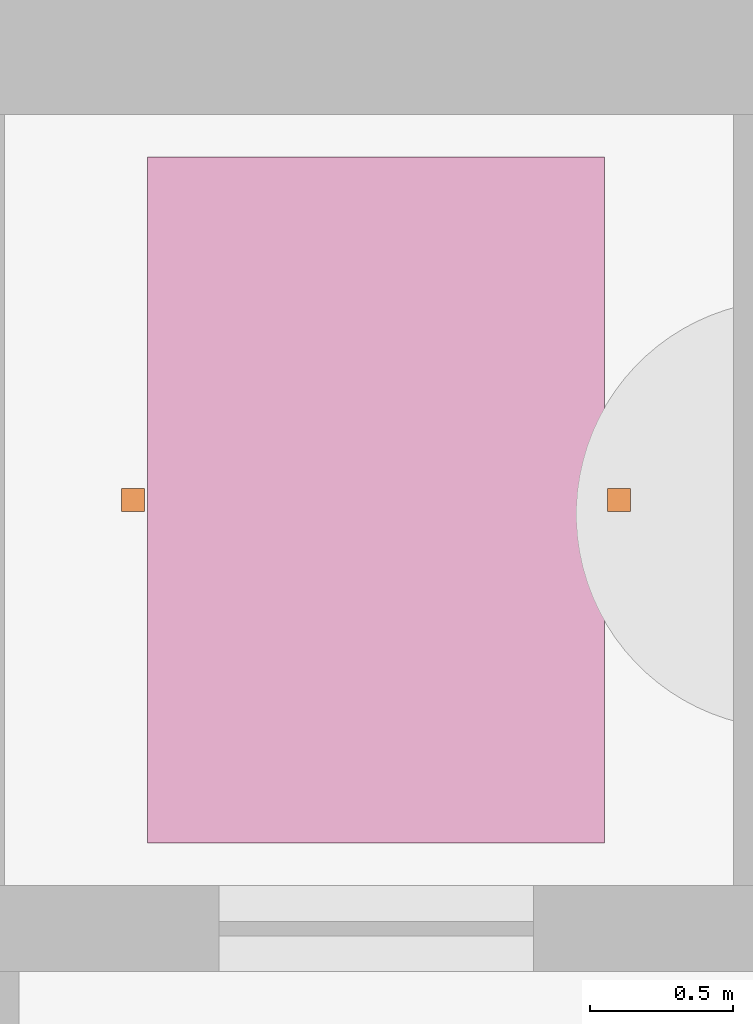
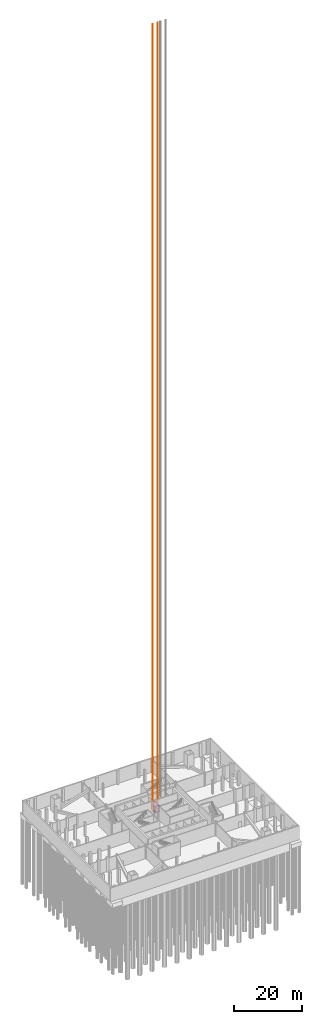
# One storey, part 7 of 8: 2 proxies, 1 transport element.
"""IFC4 building model written with IfcOpenShell, lengths in metres."""

from ifc_helpers import new_model, si_unit, direction, frame, origin, origin_2d, place, context, subcontext, project, spatial, rectangle, extrude, material, type_object, element, aggregate, save


model = new_model("IFC4")

# Units and contexts
model_context = context("Model", 3, precision=1e-05, world=origin(), true_north=direction((0.0, 1.0)))
body_context = subcontext(model_context, "Body", "Model", "MODEL_VIEW")
ifc_project = project(units=[si_unit("LENGTHUNIT", "METRE"), si_unit("AREAUNIT", "SQUARE_METRE"), si_unit("VOLUMEUNIT", "CUBIC_METRE"), si_unit("PLANEANGLEUNIT", "RADIAN"), si_unit("MASSUNIT", "GRAM", prefix="KILO")], contexts=[model_context])

# Site, building, storey
site_placement = place(None, origin())
site = spatial("IfcSite", under=ifc_project, at=site_placement, CompositionType="ELEMENT")
building_placement = place(site_placement, origin())
building = spatial("IfcBuilding", under=site, at=building_placement, Name="Turquesa Mirador Hotel Tower", CompositionType="ELEMENT")
storey_placement = place(building_placement, frame((0.0, 0.0, -5.0)))
storey = spatial("IfcBuildingStorey", under=building, at=storey_placement, Name="B1", CompositionType="ELEMENT", Elevation=-5.0)

# Transport element, proxies
ifc_material_1 = material(Name="Stainless steel lift car", Category="steel")
transport_element_type = type_object("IfcTransportElementType", Name="FIREFIGHTING AND SERVICE LIFT 1800 KG", PredefinedType="ELEVATOR", material=ifc_material_1)
transport_element_placement = place(storey_placement, frame((57.75, 53.050048828125, 0.0), z_axis=(0.0, 0.0, 1.0), x_axis=(1.0, 0.0, 0.0)))
transport_element = element("IfcTransportElement", 1, at=transport_element_placement, inside=storey, type_object=transport_element_type, Name="Lift S1", PredefinedType="ELEVATOR", context=body_context, shape_type="SweptSolid", body=[
    extrude(rectangle(XDim=1.60009765625, YDim=2.39990234375, at=origin_2d()), origin(), (0.0, 0.0, 1.0), 2.39990234375),
])
ifc_material_2 = material(Name="Steel ASTM A992 Grade 50", Category="steel")
building_element_proxy_type = type_object("IfcBuildingElementProxyType", Name="LIFT GUIDE RAIL 80X80", PredefinedType="USERDEFINED", material=ifc_material_2)
proxy_1_placement = place(storey_placement, frame((56.89990234375, 53.050048828125, 0.0), z_axis=(0.0, 0.0, 1.0), x_axis=(1.0, 0.0, 0.0)))
proxy_1 = element("IfcBuildingElementProxy", 2, at=proxy_1_placement, type_object=building_element_proxy_type, Name="Lift S1 guide rail 1", ObjectType="LIFT GUIDE RAIL", PredefinedType="USERDEFINED", context=body_context, shape_type="SweptSolid", body=[
    extrude(rectangle(XDim=0.080078125, YDim=0.080078125, at=origin_2d()), origin(), (0.0, 0.0, 1.0), 282.10009765625),
])
proxy_2_placement = place(storey_placement, frame((58.60009765625, 53.050048828125, 0.0), z_axis=(0.0, 0.0, 1.0), x_axis=(1.0, 0.0, 0.0)))
proxy_2 = element("IfcBuildingElementProxy", 3, at=proxy_2_placement, type_object=building_element_proxy_type, Name="Lift S1 guide rail 2", ObjectType="LIFT GUIDE RAIL", PredefinedType="USERDEFINED", context=body_context, shape_type="SweptSolid", body=[
    extrude(rectangle(XDim=0.080078125, YDim=0.080078125, at=origin_2d()), origin(), (0.0, 0.0, 1.0), 282.10009765625),
])
aggregate(transport_element, [proxy_1, proxy_2])

save(model, "model.ifc")
